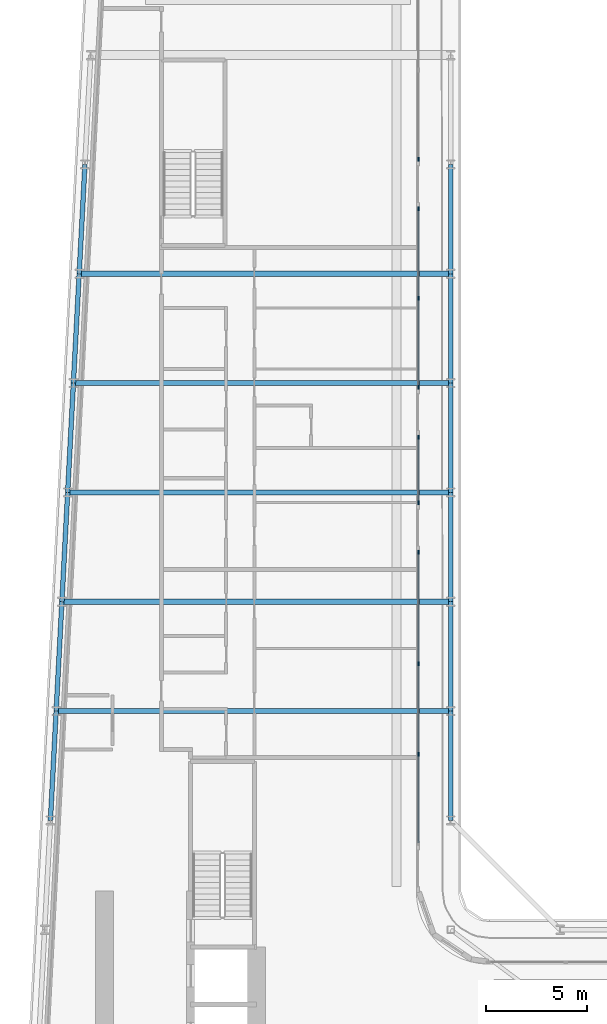
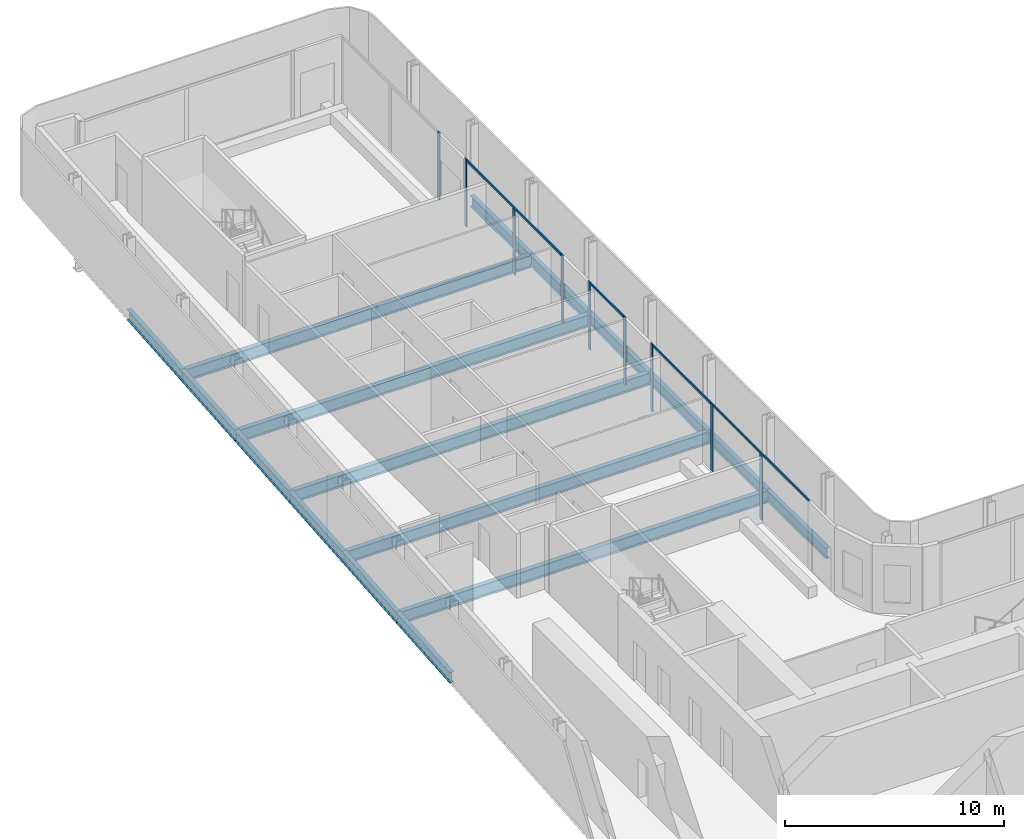
# One storey, part 7 of 25: 17 beams, 13 members, 5 elements without a shape of their own.
"""IFC4 building model written with IfcOpenShell, lengths in metres."""

from ifc_helpers import new_model, si_unit, direction, frame, origin, origin_2d, place, context, subcontext, project, spatial, rectangle, i_section, extrude, material, layer, layer_set, material_profile, profile_set, type_object, element, aggregate, save


model = new_model("IFC4")

# Units and contexts
model_context = context("Model", 3, precision=1e-05, world=origin(), true_north=direction((0.0, 1.0)))
body_context = subcontext(model_context, "Body", "Model", "MODEL_VIEW")
ifc_project = project(units=[si_unit("LENGTHUNIT", "METRE"), si_unit("AREAUNIT", "SQUARE_METRE"), si_unit("VOLUMEUNIT", "CUBIC_METRE"), si_unit("PLANEANGLEUNIT", "RADIAN"), si_unit("MASSUNIT", "GRAM", prefix="KILO")], contexts=[model_context])

# Site, building, storey
site_placement = place(None, origin())
site = spatial("IfcSite", under=ifc_project, at=site_placement, CompositionType="ELEMENT")
building_placement = place(site_placement, origin())
building = spatial("IfcBuilding", under=site, at=building_placement, Name="Kheshtan School and Residences Tower", CompositionType="ELEMENT")
storey_placement = place(building_placement, frame((0.0, 0.0, 109.699951171875)))
storey = spatial("IfcBuildingStorey", under=building, at=storey_placement, Name="L25", CompositionType="ELEMENT", Elevation=109.699951171875)

# Beams
ifc_material_1 = material(Name="Steel ASTM A992 Grade 50", Category="steel")
ifc_material_profile_1 = material_profile(ifc_material_1, i_section(OverallWidth=0.2529296875, OverallDepth=0.677978515625, WebThickness=0.01171875, FlangeThickness=0.016357421875, FilletRadius=0.0146484375, at=origin_2d()), Name="W690x125")
ifc_profile_set_1 = profile_set([ifc_material_profile_1], Name="Steel ASTM A992 Grade 50")
beam_type_1 = type_object("IfcBeamType", Name="Beam FB6 W690x125 ASTM A992 Grade 50", PredefinedType="BEAM", material=ifc_profile_set_1)
beam_1_placement = place(storey_placement, frame((47.60009765625, 78.0, -0.489013671875), z_axis=(-1.0, 0.0, 0.0), x_axis=(0.0, -1.0, 0.0)))
element("IfcBeam", 1, at=beam_1_placement, inside=storey, type_object=beam_type_1, Name="Floor beam C089", PredefinedType="BEAM", context=body_context, shape_type="SweptSolid", body=[
    extrude(i_section(OverallWidth=0.2529296875, OverallDepth=0.677978515625, WebThickness=0.01171875, FlangeThickness=0.016357421875, FilletRadius=0.0146484375, at=origin_2d()), origin(), (0.0, 0.0, 1.0), 18.357177734375),
])
beam_2_placement = place(storey_placement, frame((47.60009765625, 67.199951171875, -0.489013671875), z_axis=(-1.0, 0.0, 0.0), x_axis=(0.0, -1.0, 0.0)))
element("IfcBeam", 2, at=beam_2_placement, inside=storey, type_object=beam_type_1, Name="Floor beam C085", PredefinedType="BEAM", context=body_context, shape_type="SweptSolid", body=[
    extrude(i_section(OverallWidth=0.2529296875, OverallDepth=0.677978515625, WebThickness=0.01171875, FlangeThickness=0.016357421875, FilletRadius=0.0146484375, at=origin_2d()), origin(), (0.0, 0.0, 1.0), 18.926025390625),
])
beam_3_placement = place(storey_placement, frame((47.60009765625, 56.39990234375, -0.489013671875), z_axis=(-1.0, 0.0, 0.0), x_axis=(0.0, -1.0, 0.0)))
element("IfcBeam", 3, at=beam_3_placement, inside=storey, type_object=beam_type_1, Name="Floor beam C081", PredefinedType="BEAM", context=body_context, shape_type="SweptSolid", body=[
    extrude(i_section(OverallWidth=0.2529296875, OverallDepth=0.677978515625, WebThickness=0.01171875, FlangeThickness=0.016357421875, FilletRadius=0.0146484375, at=origin_2d()), origin(), (0.0, 0.0, 1.0), 19.494140625),
])
beam_4_placement = place(storey_placement, frame((28.389892578125, 61.800048828125, -0.489013671875), z_axis=(1.0, 0.0, 0.0), x_axis=(0.0, 1.0, 0.0)))
element("IfcBeam", 4, at=beam_4_placement, inside=storey, type_object=beam_type_1, Name="Floor beam C082", PredefinedType="BEAM", context=body_context, shape_type="SweptSolid", body=[
    extrude(i_section(OverallWidth=0.2529296875, OverallDepth=0.677978515625, WebThickness=0.01171875, FlangeThickness=0.016357421875, FilletRadius=0.0146484375, at=origin_2d()), origin(), (0.0, 0.0, 1.0), 19.210205078125),
])
beam_5_placement = place(storey_placement, frame((28.9580078125, 72.60009765625, -0.489013671875), z_axis=(1.0, 0.0, 0.0), x_axis=(0.0, 1.0, 0.0)))
element("IfcBeam", 5, at=beam_5_placement, inside=storey, type_object=beam_type_1, Name="Floor beam C086", PredefinedType="BEAM", context=body_context, shape_type="SweptSolid", body=[
    extrude(i_section(OverallWidth=0.2529296875, OverallDepth=0.677978515625, WebThickness=0.01171875, FlangeThickness=0.016357421875, FilletRadius=0.0146484375, at=origin_2d()), origin(), (0.0, 0.0, 1.0), 18.64208984375),
])
ifc_material_profile_2 = material_profile(ifc_material_1, i_section(OverallWidth=0.22802734375, OverallDepth=0.60302734375, WebThickness=0.010498046875, FlangeThickness=0.014892578125, FilletRadius=0.013427734375, at=origin_2d()), Name="W610x101")
ifc_profile_set_2 = profile_set([ifc_material_profile_2], Name="Steel ASTM A992 Grade 50")
beam_type_2 = type_object("IfcBeamType", Name="Beam SP2 W610x101 ASTM A992 Grade 50", PredefinedType="BEAM", material=ifc_profile_set_2)
for number, where, z_axis, x_axis, name in (
    (6, (47.60009765625, 83.39990234375, -0.451416015625), (0.0, -1.0, 0.0), (1.0, 0.0, 0.0), "Spandrel beam C091-C089"),
    (7, (47.60009765625, 78.0, -0.451416015625), (0.0, -1.0, 0.0), (1.0, 0.0, 0.0), "Spandrel beam C089-C087"),
):
    element("IfcBeam", number, at=place(storey_placement, frame(where, z_axis=z_axis, x_axis=x_axis)), inside=storey, type_object=beam_type_2, Name=name, PredefinedType="BEAM", context=body_context, shape_type="SweptSolid", body=[
        extrude(i_section(OverallWidth=0.22802734375, OverallDepth=0.60302734375, WebThickness=0.010498046875, FlangeThickness=0.014892578125, FilletRadius=0.013427734375, at=origin_2d()), origin(), (0.0, 0.0, 1.0), 5.39990234375),
    ])
beam_6_placement = place(storey_placement, frame((47.60009765625, 72.60009765625, -0.451416015625), z_axis=(0.0, -1.0, 0.0), x_axis=(1.0, 0.0, 0.0)))
element("IfcBeam", 8, at=beam_6_placement, inside=storey, type_object=beam_type_2, Name="Spandrel beam C087-C085", PredefinedType="BEAM", context=body_context, shape_type="SweptSolid", body=[
    extrude(i_section(OverallWidth=0.22802734375, OverallDepth=0.60302734375, WebThickness=0.010498046875, FlangeThickness=0.014892578125, FilletRadius=0.013427734375, at=origin_2d()), origin(), (0.0, 0.0, 1.0), 5.400146484375),
])
beam_7_placement = place(storey_placement, frame((47.60009765625, 67.199951171875, -0.451416015625), z_axis=(0.0, -1.0, 0.0), x_axis=(1.0, 0.0, 0.0)))
element("IfcBeam", 9, at=beam_7_placement, inside=storey, type_object=beam_type_2, Name="Spandrel beam C085-C083", PredefinedType="BEAM", context=body_context, shape_type="SweptSolid", body=[
    extrude(i_section(OverallWidth=0.22802734375, OverallDepth=0.60302734375, WebThickness=0.010498046875, FlangeThickness=0.014892578125, FilletRadius=0.013427734375, at=origin_2d()), origin(), (0.0, 0.0, 1.0), 5.39990234375),
])
beam_8_placement = place(storey_placement, frame((47.60009765625, 61.800048828125, -0.451416015625), z_axis=(0.0, -1.0, 0.0), x_axis=(1.0, 0.0, 0.0)))
element("IfcBeam", 10, at=beam_8_placement, inside=storey, type_object=beam_type_2, Name="Spandrel beam C083-C081", PredefinedType="BEAM", context=body_context, shape_type="SweptSolid", body=[
    extrude(i_section(OverallWidth=0.22802734375, OverallDepth=0.60302734375, WebThickness=0.010498046875, FlangeThickness=0.014892578125, FilletRadius=0.013427734375, at=origin_2d()), origin(), (0.0, 0.0, 1.0), 5.400146484375),
])
beam_9_placement = place(storey_placement, frame((47.60009765625, 56.39990234375, -0.451416015625), z_axis=(0.0, -1.0, 0.0), x_axis=(1.0, 0.0, 0.0)))
element("IfcBeam", 11, at=beam_9_placement, inside=storey, type_object=beam_type_2, Name="Spandrel beam C081-C079", PredefinedType="BEAM", context=body_context, shape_type="SweptSolid", body=[
    extrude(i_section(OverallWidth=0.22802734375, OverallDepth=0.60302734375, WebThickness=0.010498046875, FlangeThickness=0.014892578125, FilletRadius=0.013427734375, at=origin_2d()), origin(), (0.0, 0.0, 1.0), 5.39990234375),
])
beam_10_placement = place(storey_placement, frame((27.822021484375, 51.0, -0.451416015625), z_axis=(0.05250906864, 0.998620447272, 0.0), x_axis=(-0.998620447272, 0.05250906864, 0.0)))
element("IfcBeam", 12, at=beam_10_placement, inside=storey, type_object=beam_type_2, Name="Spandrel beam C078-C080", PredefinedType="BEAM", context=body_context, shape_type="SweptSolid", body=[
    extrude(i_section(OverallWidth=0.22802734375, OverallDepth=0.60302734375, WebThickness=0.010498046875, FlangeThickness=0.014892578125, FilletRadius=0.013427734375, at=origin_2d()), origin(), (0.0, 0.0, 1.0), 5.407470703125),
])
beam_11_placement = place(storey_placement, frame((28.10595703125, 56.39990234375, -0.451416015625), z_axis=(0.05250670125, 0.998620571751, 0.0), x_axis=(-0.998620571751, 0.05250670125, 0.0)))
element("IfcBeam", 13, at=beam_11_placement, inside=storey, type_object=beam_type_2, Name="Spandrel beam C080-C082", PredefinedType="BEAM", context=body_context, shape_type="SweptSolid", body=[
    extrude(i_section(OverallWidth=0.22802734375, OverallDepth=0.60302734375, WebThickness=0.010498046875, FlangeThickness=0.014892578125, FilletRadius=0.013427734375, at=origin_2d()), origin(), (0.0, 0.0, 1.0), 5.40771484375),
])
beam_12_placement = place(storey_placement, frame((28.389892578125, 61.800048828125, -0.451416015625), z_axis=(0.052554093665, 0.998618078766, 0.0), x_axis=(-0.998618078766, 0.052554093665, 0.0)))
element("IfcBeam", 14, at=beam_12_placement, inside=storey, type_object=beam_type_2, Name="Spandrel beam C082-C084", PredefinedType="BEAM", context=body_context, shape_type="SweptSolid", body=[
    extrude(i_section(OverallWidth=0.22802734375, OverallDepth=0.60302734375, WebThickness=0.010498046875, FlangeThickness=0.014892578125, FilletRadius=0.013427734375, at=origin_2d()), origin(), (0.0, 0.0, 1.0), 5.407470703125),
])
beam_13_placement = place(storey_placement, frame((28.674072265625, 67.199951171875, -0.451416015625), z_axis=(0.05250670125, 0.998620571751, 0.0), x_axis=(-0.998620571751, 0.05250670125, 0.0)))
element("IfcBeam", 15, at=beam_13_placement, inside=storey, type_object=beam_type_2, Name="Spandrel beam C084-C086", PredefinedType="BEAM", context=body_context, shape_type="SweptSolid", body=[
    extrude(i_section(OverallWidth=0.22802734375, OverallDepth=0.60302734375, WebThickness=0.010498046875, FlangeThickness=0.014892578125, FilletRadius=0.013427734375, at=origin_2d()), origin(), (0.0, 0.0, 1.0), 5.40771484375),
])
for number, where, z_axis, x_axis, name in (
    (16, (28.9580078125, 72.60009765625, -0.451416015625), (0.052689166816, 0.998610961136, 0.0), (-0.998610961136, 0.052689166816, 0.0), "Spandrel beam C086-C088"),
    (17, (29.242919921875, 78.0, -0.451416015625), (0.052554093665, 0.998618078766, 0.0), (-0.998618078766, 0.052554093665, 0.0), "Spandrel beam C088-C090"),
):
    element("IfcBeam", number, at=place(storey_placement, frame(where, z_axis=z_axis, x_axis=x_axis)), inside=storey, type_object=beam_type_2, Name=name, PredefinedType="BEAM", context=body_context, shape_type="SweptSolid", body=[
        extrude(i_section(OverallWidth=0.22802734375, OverallDepth=0.60302734375, WebThickness=0.010498046875, FlangeThickness=0.014892578125, FilletRadius=0.013427734375, at=origin_2d()), origin(), (0.0, 0.0, 1.0), 5.407470703125),
    ])

# Curtain wall, member
ifc_material_2 = material(Name="Clear low-e glass in thermally broken aluminium frame", Category="aluminium")
ifc_layer = layer(ifc_material_2, 0.199951171875)
ifc_layer_set = layer_set([ifc_layer], Name="Curtain wall CW-L")
curtain_wall_type = type_object("IfcCurtainWallType", Name="Curtain wall CW-L", PredefinedType="NOTDEFINED", material=ifc_layer_set)
curtain_wall_1_placement = place(storey_placement, origin())
curtain_wall_1 = element("IfcCurtainWall", 18, at=curtain_wall_1_placement, inside=storey, type_object=curtain_wall_type, Name="Curtain wall CWL4b", PredefinedType="NOTDEFINED")
ifc_material_3 = material(Name="Thermally broken aluminium, dark bronze anodised", Category="aluminium")
ifc_material_profile_3 = material_profile(ifc_material_3, rectangle(XDim=0.06005859375, YDim=0.199951171875, at=origin_2d()), Name="CW-L mullion 60x200")
ifc_profile_set_3 = profile_set([ifc_material_profile_3], Name="Thermally broken aluminium, dark bronze anodised")
member_type_1 = type_object("IfcMemberType", Name="CW-L mullion 60x200", PredefinedType="MULLION", material=ifc_profile_set_3)
member_1_placement = place(storey_placement, frame((46.0, 83.66259765625, 0.0), z_axis=(0.0, 0.0, 1.0), x_axis=(1.0, 0.0, 0.0)))
member_1 = element("IfcMember", 19, at=member_1_placement, type_object=member_type_1, Name="CWL4b mullion 3", PredefinedType="MULLION", context=body_context, shape_type="SweptSolid", body=[
    extrude(rectangle(XDim=0.06005859375, YDim=0.199951171875, at=origin_2d()), origin(), (0.0, 0.0, 1.0), 3.75),
])
aggregate(curtain_wall_1, [member_1])

# Curtain wall, members
curtain_wall_2_placement = place(storey_placement, origin())
curtain_wall_2 = element("IfcCurtainWall", 20, at=curtain_wall_2_placement, inside=storey, type_object=curtain_wall_type, Name="Curtain wall CWL4e", PredefinedType="NOTDEFINED")
member_2_placement = place(storey_placement, frame((46.0, 81.202392578125, 0.0), z_axis=(0.0, 0.0, 1.0), x_axis=(1.0, 0.0, 0.0)))
member_2 = element("IfcMember", 21, at=member_2_placement, type_object=member_type_1, Name="CWL4e mullion 1", PredefinedType="MULLION", context=body_context, shape_type="SweptSolid", body=[
    extrude(rectangle(XDim=0.06005859375, YDim=0.199951171875, at=origin_2d()), origin(), (0.0, 0.0, 1.0), 3.75),
])
member_3_placement = place(storey_placement, frame((46.0, 76.798828125, 0.0), z_axis=(0.0, 0.0, 1.0), x_axis=(1.0, 0.0, 0.0)))
member_3 = element("IfcMember", 22, at=member_3_placement, type_object=member_type_1, Name="CWL4e mullion 2", PredefinedType="MULLION", context=body_context, shape_type="SweptSolid", body=[
    extrude(rectangle(XDim=0.06005859375, YDim=0.199951171875, at=origin_2d()), origin(), (0.0, 0.0, 1.0), 3.630126953125),
])
member_4_placement = place(storey_placement, frame((46.0, 72.39501953125, 0.0), z_axis=(0.0, 0.0, 1.0), x_axis=(1.0, 0.0, 0.0)))
member_4 = element("IfcMember", 23, at=member_4_placement, type_object=member_type_1, Name="CWL4e mullion 3", PredefinedType="MULLION", context=body_context, shape_type="SweptSolid", body=[
    extrude(rectangle(XDim=0.06005859375, YDim=0.199951171875, at=origin_2d()), origin(), (0.0, 0.0, 1.0), 3.75),
])

curtain_wall_3_placement = place(storey_placement, origin())
curtain_wall_3 = element("IfcCurtainWall", 24, at=curtain_wall_3_placement, inside=storey, type_object=curtain_wall_type, Name="Curtain wall CWL4f", PredefinedType="NOTDEFINED")
member_5_placement = place(storey_placement, frame((46.0, 69.93505859375, 0.0), z_axis=(0.0, 0.0, 1.0), x_axis=(1.0, 0.0, 0.0)))
member_5 = element("IfcMember", 25, at=member_5_placement, type_object=member_type_1, Name="CWL4f mullion 1", PredefinedType="MULLION", context=body_context, shape_type="SweptSolid", body=[
    extrude(rectangle(XDim=0.06005859375, YDim=0.199951171875, at=origin_2d()), origin(), (0.0, 0.0, 1.0), 3.75),
])
member_6_placement = place(storey_placement, frame((46.0, 66.695068359375, 0.0), z_axis=(0.0, 0.0, 1.0), x_axis=(1.0, 0.0, 0.0)))
member_6 = element("IfcMember", 26, at=member_6_placement, type_object=member_type_1, Name="CWL4f mullion 2", PredefinedType="MULLION", context=body_context, shape_type="SweptSolid", body=[
    extrude(rectangle(XDim=0.06005859375, YDim=0.199951171875, at=origin_2d()), origin(), (0.0, 0.0, 1.0), 3.75),
])

curtain_wall_4_placement = place(storey_placement, origin())
curtain_wall_4 = element("IfcCurtainWall", 27, at=curtain_wall_4_placement, inside=storey, type_object=curtain_wall_type, Name="Curtain wall CWL4g", PredefinedType="NOTDEFINED")
member_7_placement = place(storey_placement, frame((46.0, 64.235107421875, 0.0), z_axis=(0.0, 0.0, 1.0), x_axis=(1.0, 0.0, 0.0)))
member_7 = element("IfcMember", 28, at=member_7_placement, type_object=member_type_1, Name="CWL4g mullion 1", PredefinedType="MULLION", context=body_context, shape_type="SweptSolid", body=[
    extrude(rectangle(XDim=0.06005859375, YDim=0.199951171875, at=origin_2d()), origin(), (0.0, 0.0, 1.0), 3.75),
])
member_8_placement = place(storey_placement, frame((46.0, 58.7275390625, 0.0), z_axis=(0.0, 0.0, 1.0), x_axis=(1.0, 0.0, 0.0)))
member_8 = element("IfcMember", 29, at=member_8_placement, type_object=member_type_1, Name="CWL4g mullion 2", PredefinedType="MULLION", context=body_context, shape_type="SweptSolid", body=[
    extrude(rectangle(XDim=0.06005859375, YDim=0.199951171875, at=origin_2d()), origin(), (0.0, 0.0, 1.0), 3.75),
])

# Curtain wall, member
curtain_wall_5_placement = place(storey_placement, origin())
curtain_wall_5 = element("IfcCurtainWall", 30, at=curtain_wall_5_placement, inside=storey, type_object=curtain_wall_type, Name="Curtain wall CWL4b", PredefinedType="NOTDEFINED")
member_9_placement = place(storey_placement, frame((46.0, 54.263671875, 0.0), z_axis=(0.0, 0.0, 1.0), x_axis=(1.0, 0.0, 0.0)))
member_9 = element("IfcMember", 31, at=member_9_placement, type_object=member_type_1, Name="CWL4b mullion 2", PredefinedType="MULLION", context=body_context, shape_type="SweptSolid", body=[
    extrude(rectangle(XDim=0.06005859375, YDim=0.199951171875, at=origin_2d()), origin(), (0.0, 0.0, 1.0), 3.630126953125),
])

# Member
ifc_material_profile_4 = material_profile(ifc_material_3, rectangle(XDim=0.06005859375, YDim=0.1201171875, at=origin_2d()), Name="CW-L transom 60x120")
ifc_profile_set_4 = profile_set([ifc_material_profile_4], Name="Thermally broken aluminium, dark bronze anodised")
member_type_2 = type_object("IfcMemberType", Name="CW-L transom 60x120", PredefinedType="USERDEFINED", material=ifc_profile_set_4)
member_10_placement = place(storey_placement, frame((46.0, 81.172607421875, 3.68994140625), z_axis=(0.0, -1.0, 0.0), x_axis=(1.0, 0.0, 0.0)))
member_10 = element("IfcMember", 32, at=member_10_placement, type_object=member_type_2, Name="CWL4e transom 1", ObjectType="TRANSOM", PredefinedType="USERDEFINED", context=body_context, shape_type="SweptSolid", body=[
    extrude(rectangle(XDim=0.06005859375, YDim=0.1201171875, at=origin_2d()), origin(), (0.0, 0.0, 1.0), 8.74755859375),
])

aggregate(curtain_wall_2, [member_2, member_3, member_4, member_10])

member_11_placement = place(storey_placement, frame((46.0, 69.905029296875, 3.68994140625), z_axis=(0.0, -1.0, 0.0), x_axis=(1.0, 0.0, 0.0)))
member_11 = element("IfcMember", 33, at=member_11_placement, type_object=member_type_2, Name="CWL4f transom 1", ObjectType="TRANSOM", PredefinedType="USERDEFINED", context=body_context, shape_type="SweptSolid", body=[
    extrude(rectangle(XDim=0.06005859375, YDim=0.1201171875, at=origin_2d()), origin(), (0.0, 0.0, 1.0), 3.179931640625),
])

aggregate(curtain_wall_3, [member_5, member_6, member_11])

member_12_placement = place(storey_placement, frame((46.0, 64.205078125, 3.68994140625), z_axis=(0.0, -1.0, 0.0), x_axis=(1.0, 0.0, 0.0)))
member_12 = element("IfcMember", 34, at=member_12_placement, type_object=member_type_2, Name="CWL4g transom 1", ObjectType="TRANSOM", PredefinedType="USERDEFINED", context=body_context, shape_type="SweptSolid", body=[
    extrude(rectangle(XDim=0.06005859375, YDim=0.1201171875, at=origin_2d()), origin(), (0.0, 0.0, 1.0), 5.447509765625),
])

aggregate(curtain_wall_4, [member_7, member_8, member_12])

member_13_placement = place(storey_placement, frame((46.0, 58.697509765625, 3.68994140625), z_axis=(0.0, -1.0, 0.0), x_axis=(1.0, 0.0, 0.0)))
member_13 = element("IfcMember", 35, at=member_13_placement, type_object=member_type_2, Name="CWL4b transom 1", ObjectType="TRANSOM", PredefinedType="USERDEFINED", context=body_context, shape_type="SweptSolid", body=[
    extrude(rectangle(XDim=0.06005859375, YDim=0.1201171875, at=origin_2d()), origin(), (0.0, 0.0, 1.0), 8.8076171875),
])

aggregate(curtain_wall_5, [member_9, member_13])

save(model, "model.ifc")
